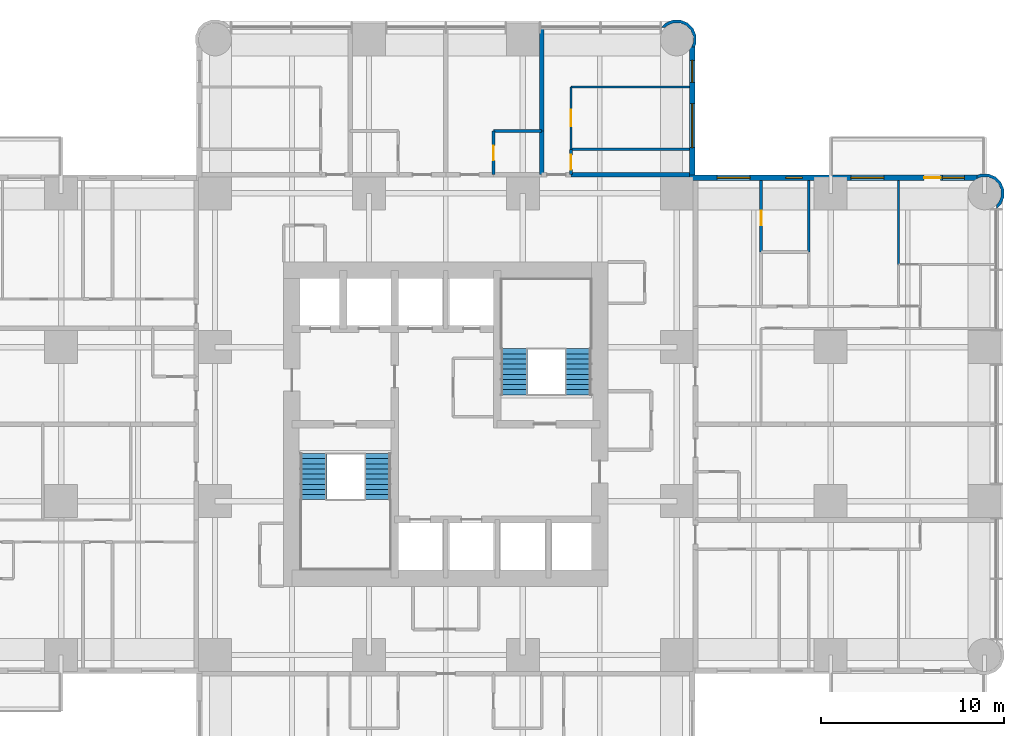
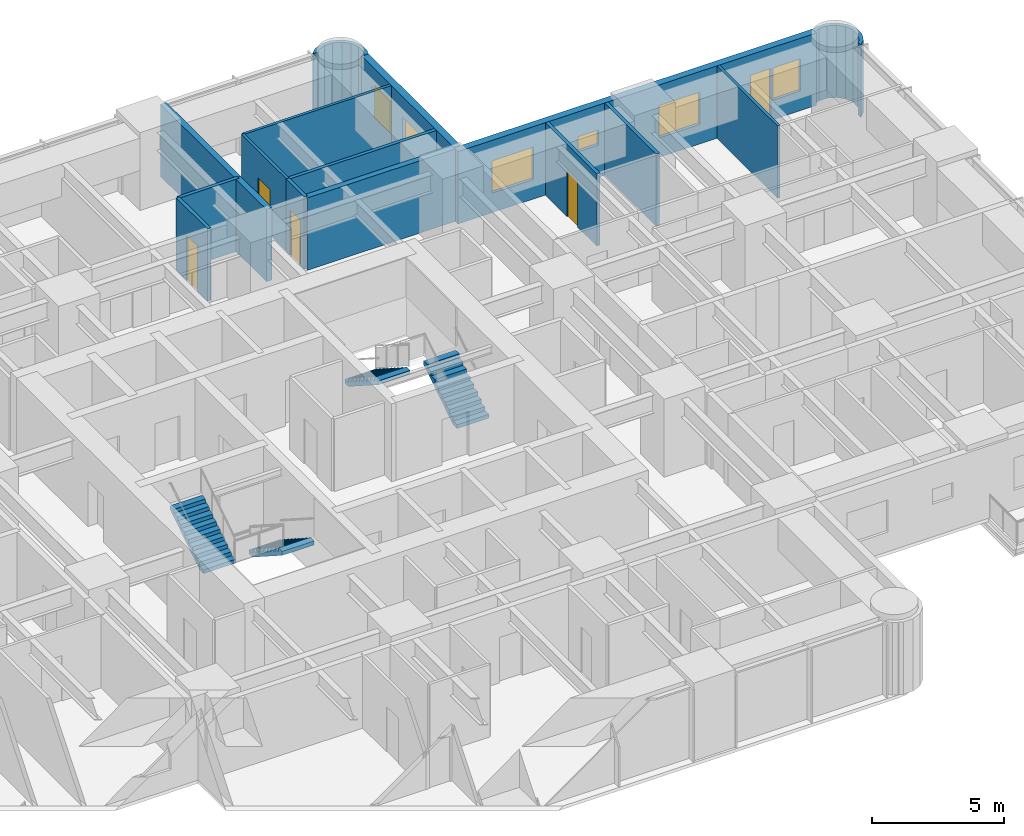
# One storey, part 12 of 14: 16 walls, 6 windows, 5 doors, 4 stair flights, 11 openings, 2 elements without a shape of their own.
"""IFC4 building model written with IfcOpenShell, lengths in metres."""

from ifc_helpers import new_model, si_unit, direction, frame, frame_2d, origin, place, context, subcontext, project, spatial, polyline, rectangle, outline, extrude, material, layer, layer_set, type_object, element, fill, aggregate, save


model = new_model("IFC4")

# Units and contexts
model_context = context("Model", 3, precision=1e-05, world=origin(), true_north=direction((0.0, 1.0)))
body_context = subcontext(model_context, "Body", "Model", "MODEL_VIEW")
ifc_project = project(units=[si_unit("LENGTHUNIT", "METRE"), si_unit("AREAUNIT", "SQUARE_METRE"), si_unit("VOLUMEUNIT", "CUBIC_METRE"), si_unit("PLANEANGLEUNIT", "RADIAN"), si_unit("MASSUNIT", "GRAM", prefix="KILO")], contexts=[model_context])

# Site, building, storey
site_placement = place(None, origin())
site = spatial("IfcSite", under=ifc_project, at=site_placement, CompositionType="ELEMENT")
building_placement = place(site_placement, origin())
building = spatial("IfcBuilding", under=site, at=building_placement, Name="Torre Alcanfor", CompositionType="ELEMENT")
storey_placement = place(building_placement, frame((0.0, 0.0, 173.699951171875)))
storey = spatial("IfcBuildingStorey", under=building, at=storey_placement, Name="L45", CompositionType="ELEMENT", Elevation=173.699951171875)

# Walls
ifc_material_1 = material(Name="Concrete block masonry, hollow blocks NMX-C-404 9 MPa", Category="masonry")
ifc_layer_1 = layer(ifc_material_1, 0.25)
ifc_layer_set_1 = layer_set([ifc_layer_1], Name="Apartment entrance wall 250 EI 60")
wall_type_1 = type_object("IfcWallType", Name="Apartment entrance wall 250 EI 60", PredefinedType="PARTITIONING", material=ifc_layer_set_1)
wall_1_placement = place(storey_placement, frame((36.22900390625, 43.02490234375, 0.0), z_axis=(0.0, 0.0, 1.0), x_axis=(1.0, 0.0, 0.0)))
element("IfcWall", 1, at=wall_1_placement, inside=storey, type_object=wall_type_1, Name="Partition L45-CORR / L45-N2B-BATH", PredefinedType="PARTITIONING", context=body_context, shape_type="SweptSolid", body=[
    extrude(rectangle(XDim=6.470947265625, YDim=0.25, at=frame_2d((3.2353515625, 0.0))), origin(), (0.0, 0.0, 1.0), 3.35009765625),
])
ifc_material_2 = material(Name="Gypsum board on steel studs", Category="steel")
ifc_layer_2 = layer(ifc_material_2, 0.1201171875)
ifc_layer_set_2 = layer_set([ifc_layer_2], Name="Apartment partition 120")
wall_type_2 = type_object("IfcWallType", Name="Apartment partition 120", PredefinedType="PARTITIONING", material=ifc_layer_set_2)
wall_2_placement = place(storey_placement, frame((42.699951171875, 47.800048828125, 0.0), z_axis=(0.0, 0.0, 1.0), x_axis=(-1.0, 0.0, 0.0)))
element("IfcWall", 2, at=wall_2_placement, inside=storey, type_object=wall_type_2, Name="Partition L45-N2B-LIVING / L45-N2B-MASTER", PredefinedType="PARTITIONING", context=body_context, shape_type="SweptSolid", body=[
    extrude(rectangle(XDim=6.470947265625, YDim=0.1201171875, at=frame_2d((3.2353515625, 0.0))), origin(), (0.0, 0.0, 1.0), 3.35009765625),
])

# Wall, opening, door
wall_3_placement = place(storey_placement, frame((36.22900390625, 47.800048828125, 0.0), z_axis=(0.0, 0.0, 1.0), x_axis=(0.0, -1.0, 0.0)))
wall_3 = element("IfcWall", 3, at=wall_3_placement, inside=storey, type_object=wall_type_2, Name="Partition L45-N2B-LIVING / L45-N2B-MASTER", PredefinedType="PARTITIONING", context=body_context, shape_type="SweptSolid", body=[
    extrude(rectangle(XDim=3.400146484375, YDim=0.1201171875, at=frame_2d((1.7001953125, 0.0))), origin(), (0.0, 0.0, 1.0), 3.35009765625),
])
opening_1_placement = place(wall_3_placement, frame((1.25, 0.0, 0.0)))
opening_1 = element("IfcOpeningElement", 4, at=opening_1_placement, cuts=wall_3, Name="Opening D-R1", PredefinedType="OPENING", context=body_context, shape_type="SweptSolid", body=[
    extrude(rectangle(XDim=0.89990234375, YDim=2.10009765625, at=frame_2d((0.449951171875, 1.050048828125))), frame((0.0, 0.070068359375, 0.0), z_axis=(0.0, -1.0, 0.0), x_axis=(1.0, 0.0, 0.0)), (0.0, 0.0, 1.0), 0.14013671875),
])
ifc_material_3 = material(Name="Timber", Category="wood")
door_type_1 = type_object("IfcDoorType", Name="Internal door 900x2100", OperationType="SINGLE_SWING_LEFT", PredefinedType="DOOR", material=ifc_material_3)
door_1_placement = place(opening_1_placement, origin())
door_1 = element("IfcDoor", 5, at=door_1_placement, inside=storey, type_object=door_type_1, Name="Door L45-N2B master", OperationType="SINGLE_SWING_LEFT", OverallHeight=2.10009765625, OverallWidth=0.89990234375, PredefinedType="DOOR", context=body_context, shape_type="SweptSolid", body=[
    extrude(rectangle(XDim=0.89990234375, YDim=2.10009765625, at=frame_2d((0.449951171875, 1.050048828125))), frame((0.0, 0.02490234375, 0.0), z_axis=(0.0, -1.0, 0.0), x_axis=(1.0, 0.0, 0.0)), (0.0, 0.0, 1.0), 0.050048828125),
])
fill(opening_1, door_1)

# Wall
wall_4_placement = place(storey_placement, frame((54.10009765625, 38.114013671875, 0.0), z_axis=(0.0, 0.0, 1.0), x_axis=(0.0, 1.0, 0.0)))
element("IfcWall", 6, at=wall_4_placement, inside=storey, type_object=wall_type_2, Name="Partition L45-E1-BED3 / L45-E1-MASTER", PredefinedType="PARTITIONING", context=body_context, shape_type="SweptSolid", body=[
    extrude(rectangle(XDim=4.5859375, YDim=0.1201171875, at=frame_2d((2.29296875, 0.0))), origin(), (0.0, 0.0, 1.0), 3.35009765625),
])

# Wall, openings, door, windows
ifc_material_4 = material(Name="Limestone cladding", Category="masonry")
ifc_layer_3 = layer(ifc_material_4, 0.0400390625, Name="Facing")
ifc_material_5 = material(Name="Ventilated air cavity")
ifc_layer_4 = layer(ifc_material_5, 0.02001953125, ventilated=True, Name="Ventilated joint")
ifc_material_6 = material(Name="Mineral wool insulation", Category="insulation")
ifc_layer_5 = layer(ifc_material_6, 0.10009765625, Name="Insulation")
ifc_material_7 = material(Name="Concrete f'c 35 MPa", Category="concrete")
ifc_layer_6 = layer(ifc_material_7, 0.139892578125, Name="Backing")
ifc_layer_set_3 = layer_set([ifc_layer_3, ifc_layer_4, ifc_layer_5, ifc_layer_6], Name="External wall stone-clad 300")
wall_type_3 = type_object("IfcWallType", Name="External wall stone-clad 300", PredefinedType="SOLIDWALL", material=ifc_layer_set_3)
wall_5_placement = place(storey_placement, frame((58.39990234375, 42.85009765625, 0.0), z_axis=(0.0, 0.0, 1.0), x_axis=(-1.0, 0.0, 0.0)))
wall_5 = element("IfcWall", 7, at=wall_5_placement, inside=storey, type_object=wall_type_3, Name="External wall L45 9", PredefinedType="SOLIDWALL", context=body_context, shape_type="SweptSolid", body=[
    extrude(rectangle(XDim=15.699951171875, YDim=0.300048828125, at=frame_2d((7.85009765625, 0.0))), origin(), (0.0, 0.0, 1.0), 3.35009765625),
])
opening_2_placement = place(wall_5_placement, frame((12.39990234375, 0.0, 0.89990234375)))
opening_2 = element("IfcOpeningElement", 8, at=opening_2_placement, cuts=wall_5, Name="Opening W2", PredefinedType="OPENING", context=body_context, shape_type="SweptSolid", body=[
    extrude(rectangle(XDim=1.800048828125, YDim=1.5, at=frame_2d((0.89990234375, 0.75))), frame((0.0, 0.159912109375, 0.0), z_axis=(0.0, -1.0, 0.0), x_axis=(1.0, 0.0, 0.0)), (0.0, 0.0, 1.0), 0.320068359375),
])
opening_3_placement = place(wall_5_placement, frame((9.550048828125, 0.0, 1.5)))
opening_3 = element("IfcOpeningElement", 9, at=opening_3_placement, cuts=wall_5, Name="Opening W3", PredefinedType="OPENING", context=body_context, shape_type="SweptSolid", body=[
    extrude(rectangle(XDim=0.89990234375, YDim=0.699951171875, at=frame_2d((0.449951171875, 0.35009765625))), frame((0.0, 0.159912109375, 0.0), z_axis=(0.0, -1.0, 0.0), x_axis=(1.0, 0.0, 0.0)), (0.0, 0.0, 1.0), 0.320068359375),
])
opening_4_placement = place(wall_5_placement, frame((5.10009765625, 0.0, 0.89990234375)))
opening_4 = element("IfcOpeningElement", 10, at=opening_4_placement, cuts=wall_5, Name="Opening W2", PredefinedType="OPENING", context=body_context, shape_type="SweptSolid", body=[
    extrude(rectangle(XDim=1.800048828125, YDim=1.5, at=frame_2d((0.89990234375, 0.75))), frame((0.0, 0.159912109375, 0.0), z_axis=(0.0, -1.0, 0.0), x_axis=(1.0, 0.0, 0.0)), (0.0, 0.0, 1.0), 0.320068359375),
])
opening_5_placement = place(wall_5_placement, frame((2.0, 0.0, 0.0)))
opening_5 = element("IfcOpeningElement", 11, at=opening_5_placement, cuts=wall_5, Name="Opening D-B1", PredefinedType="OPENING", context=body_context, shape_type="SweptSolid", body=[
    extrude(rectangle(XDim=0.89990234375, YDim=2.39990234375, at=frame_2d((0.449951171875, 1.199951171875))), frame((0.0, 0.159912109375, 0.0), z_axis=(0.0, -1.0, 0.0), x_axis=(1.0, 0.0, 0.0)), (0.0, 0.0, 1.0), 0.320068359375),
])
opening_6_placement = place(wall_5_placement, frame((0.699951171875, 0.0, 0.89990234375)))
opening_6 = element("IfcOpeningElement", 12, at=opening_6_placement, cuts=wall_5, Name="Opening W4", PredefinedType="OPENING", context=body_context, shape_type="SweptSolid", body=[
    extrude(rectangle(XDim=1.199951171875, YDim=1.5, at=frame_2d((0.60009765625, 0.75))), frame((0.0, 0.159912109375, 0.0), z_axis=(0.0, -1.0, 0.0), x_axis=(1.0, 0.0, 0.0)), (0.0, 0.0, 1.0), 0.320068359375),
])
ifc_material_8 = material(Name="Aluminium and glass", Category="aluminium")
door_type_2 = type_object("IfcDoorType", Name="Balcony door glazed 900x2400", OperationType="SINGLE_SWING_LEFT", PredefinedType="DOOR", material=ifc_material_8)
door_2_placement = place(opening_5_placement, origin())
door_2 = element("IfcDoor", 13, at=door_2_placement, inside=storey, type_object=door_type_2, Name="Balcony door L45-E1", OperationType="SINGLE_SWING_RIGHT", OverallHeight=2.39990234375, OverallWidth=0.89990234375, PredefinedType="DOOR", context=body_context, shape_type="SweptSolid", body=[
    extrude(rectangle(XDim=0.89990234375, YDim=2.39990234375, at=frame_2d((0.449951171875, 1.199951171875))), frame((0.0, 0.02490234375, 0.0), z_axis=(0.0, -1.0, 0.0), x_axis=(1.0, 0.0, 0.0)), (0.0, 0.0, 1.0), 0.050048828125),
])
fill(opening_5, door_2)
ifc_material_9 = material(Name="Aluminium frame with clear double glazing", Category="aluminium")
window_type_1 = type_object("IfcWindowType", Name="Window bathroom 900x700", PartitioningType="SINGLE_PANEL", PredefinedType="WINDOW", material=ifc_material_9)
window_1_placement = place(opening_3_placement, origin())
window_1 = element("IfcWindow", 14, at=window_1_placement, inside=storey, type_object=window_type_1, Name="Window W3 L45-E1", OverallHeight=0.699951171875, OverallWidth=0.89990234375, PartitioningType="SINGLE_PANEL", PredefinedType="WINDOW", context=body_context, shape_type="SweptSolid", body=[
    extrude(rectangle(XDim=0.89990234375, YDim=0.699951171875, at=frame_2d((0.449951171875, 0.35009765625))), frame((0.0, 0.030029296875, 0.0), z_axis=(0.0, -1.0, 0.0), x_axis=(1.0, 0.0, 0.0)), (0.0, 0.0, 1.0), 0.06005859375),
])
fill(opening_3, window_1)
ifc_material_10 = material(Name="Aluminium frame with clear double glazing", Category="aluminium")
window_type_2 = type_object("IfcWindowType", Name="Window bedroom 1200x1500", PartitioningType="SINGLE_PANEL", PredefinedType="WINDOW", material=ifc_material_10)
window_2_placement = place(opening_6_placement, origin())
window_2 = element("IfcWindow", 15, at=window_2_placement, inside=storey, type_object=window_type_2, Name="Window W4 L45-E1", OverallHeight=1.5, OverallWidth=1.199951171875, PartitioningType="SINGLE_PANEL", PredefinedType="WINDOW", context=body_context, shape_type="SweptSolid", body=[
    extrude(rectangle(XDim=1.199951171875, YDim=1.5, at=frame_2d((0.60009765625, 0.75))), frame((0.0, 0.030029296875, 0.0), z_axis=(0.0, -1.0, 0.0), x_axis=(1.0, 0.0, 0.0)), (0.0, 0.0, 1.0), 0.06005859375),
])
fill(opening_6, window_2)
ifc_material_11 = material(Name="Aluminium frame with clear double glazing", Category="aluminium")
window_type_3 = type_object("IfcWindowType", Name="Window bedroom 1800x1500", PartitioningType="SINGLE_PANEL", PredefinedType="WINDOW", material=ifc_material_11)
window_3_placement = place(opening_2_placement, origin())
window_3 = element("IfcWindow", 16, at=window_3_placement, inside=storey, type_object=window_type_3, Name="Window W2 L45-E1", OverallHeight=1.5, OverallWidth=1.800048828125, PartitioningType="SINGLE_PANEL", PredefinedType="WINDOW", context=body_context, shape_type="SweptSolid", body=[
    extrude(rectangle(XDim=1.800048828125, YDim=1.5, at=frame_2d((0.89990234375, 0.75))), frame((0.0, 0.030029296875, 0.0), z_axis=(0.0, -1.0, 0.0), x_axis=(1.0, 0.0, 0.0)), (0.0, 0.0, 1.0), 0.06005859375),
])
fill(opening_2, window_3)
window_4_placement = place(opening_4_placement, origin())
window_4 = element("IfcWindow", 17, at=window_4_placement, inside=storey, type_object=window_type_3, Name="Window W2 L45-E1", OverallHeight=1.5, OverallWidth=1.800048828125, PartitioningType="SINGLE_PANEL", PredefinedType="WINDOW", context=body_context, shape_type="SweptSolid", body=[
    extrude(rectangle(XDim=1.800048828125, YDim=1.5, at=frame_2d((0.89990234375, 0.75))), frame((0.0, 0.030029296875, 0.0), z_axis=(0.0, -1.0, 0.0), x_axis=(1.0, 0.0, 0.0)), (0.0, 0.0, 1.0), 0.06005859375),
])
fill(opening_4, window_4)

# Wall, openings, windows
wall_6_placement = place(storey_placement, frame((42.85009765625, 43.0, 0.0), z_axis=(0.0, 0.0, 1.0), x_axis=(0.0, 1.0, 0.0)))
wall_6 = element("IfcWall", 18, at=wall_6_placement, inside=storey, type_object=wall_type_3, Name="External wall L45 10", PredefinedType="SOLIDWALL", context=body_context, shape_type="SweptSolid", body=[
    extrude(rectangle(XDim=7.0, YDim=0.300048828125, at=frame_2d((3.5, 0.0))), origin(), (0.0, 0.0, 1.0), 3.35009765625),
])
opening_7_placement = place(wall_6_placement, frame((1.5, 0.0, 0.89990234375)))
opening_7 = element("IfcOpeningElement", 19, at=opening_7_placement, cuts=wall_6, Name="Opening W1", PredefinedType="OPENING", context=body_context, shape_type="SweptSolid", body=[
    extrude(rectangle(XDim=2.39990234375, YDim=1.5, at=frame_2d((1.199951171875, 0.75))), frame((0.0, 0.159912109375, 0.0), z_axis=(0.0, -1.0, 0.0), x_axis=(1.0, 0.0, 0.0)), (0.0, 0.0, 1.0), 0.320068359375),
])
opening_8_placement = place(wall_6_placement, frame((5.050048828125, 0.0, 0.89990234375)))
opening_8 = element("IfcOpeningElement", 20, at=opening_8_placement, cuts=wall_6, Name="Opening W4", PredefinedType="OPENING", context=body_context, shape_type="SweptSolid", body=[
    extrude(rectangle(XDim=1.199951171875, YDim=1.5, at=frame_2d((0.60009765625, 0.75))), frame((0.0, 0.159912109375, 0.0), z_axis=(0.0, -1.0, 0.0), x_axis=(1.0, 0.0, 0.0)), (0.0, 0.0, 1.0), 0.320068359375),
])
window_5_placement = place(opening_8_placement, origin())
window_5 = element("IfcWindow", 21, at=window_5_placement, inside=storey, type_object=window_type_2, Name="Window W4 L45-N2", OverallHeight=1.5, OverallWidth=1.199951171875, PartitioningType="SINGLE_PANEL", PredefinedType="WINDOW", context=body_context, shape_type="SweptSolid", body=[
    extrude(rectangle(XDim=1.199951171875, YDim=1.5, at=frame_2d((0.60009765625, 0.75))), frame((0.0, 0.030029296875, 0.0), z_axis=(0.0, -1.0, 0.0), x_axis=(1.0, 0.0, 0.0)), (0.0, 0.0, 1.0), 0.06005859375),
])
fill(opening_8, window_5)
ifc_material_12 = material(Name="Aluminium frame with clear double glazing", Category="aluminium")
window_type_4 = type_object("IfcWindowType", Name="Window bedroom 2400x1500", PartitioningType="SINGLE_PANEL", PredefinedType="WINDOW", material=ifc_material_12)
window_6_placement = place(opening_7_placement, origin())
window_6 = element("IfcWindow", 22, at=window_6_placement, inside=storey, type_object=window_type_4, Name="Window W1 L45-N2", OverallHeight=1.5, OverallWidth=2.39990234375, PartitioningType="SINGLE_PANEL", PredefinedType="WINDOW", context=body_context, shape_type="SweptSolid", body=[
    extrude(rectangle(XDim=2.39990234375, YDim=1.5, at=frame_2d((1.199951171875, 0.75))), frame((0.0, 0.030029296875, 0.0), z_axis=(0.0, -1.0, 0.0), x_axis=(1.0, 0.0, 0.0)), (0.0, 0.0, 1.0), 0.06005859375),
])
fill(opening_7, window_6)

# Walls
ifc_material_13 = material(Name="Concrete block masonry, hollow blocks NMX-C-404 9 MPa", Category="masonry")
ifc_layer_7 = layer(ifc_material_13, 0.25)
ifc_layer_set_4 = layer_set([ifc_layer_7], Name="Party wall 250 EI 60")
wall_type_4 = type_object("IfcWallType", Name="Party wall 250 EI 60", PredefinedType="PARTITIONING", material=ifc_layer_set_4)
wall_7_placement = place(storey_placement, frame((34.62890625, 51.050048828125, 0.0), z_axis=(0.0, 0.0, 1.0), x_axis=(0.0, -1.0, 0.0)))
element("IfcWall", 23, at=wall_7_placement, inside=storey, type_object=wall_type_4, Name="Partition L45-N2A-STUDIO / L45-N2B-LIVING", PredefinedType="PARTITIONING", context=body_context, shape_type="SweptSolid", body=[
    extrude(rectangle(XDim=5.650146484375, YDim=0.25, at=frame_2d((2.8251953125, 0.0))), origin(), (0.0, 0.0, 1.0), 3.35009765625),
])
wall_8_placement = place(storey_placement, frame((34.62890625, 45.39990234375, 0.0), z_axis=(0.0, 0.0, 1.0), x_axis=(0.0, -1.0, 0.0)))
element("IfcWall", 24, at=wall_8_placement, inside=storey, type_object=wall_type_4, Name="Partition L45-N2A-BATH / L45-N2B-LIVING", PredefinedType="PARTITIONING", context=body_context, shape_type="SweptSolid", body=[
    extrude(rectangle(XDim=2.375, YDim=0.25, at=frame_2d((1.1875, 0.0))), origin(), (0.0, 0.0, 1.0), 3.35009765625),
])
ifc_layer_8 = layer(ifc_material_4, 0.0400390625, Name="Facing")
ifc_layer_9 = layer(ifc_material_5, 0.02001953125, ventilated=True, Name="Ventilated joint")
ifc_layer_10 = layer(ifc_material_6, 0.10009765625, Name="Insulation")
ifc_layer_11 = layer(ifc_material_7, 0.139892578125, Name="Backing")
ifc_layer_set_5 = layer_set([ifc_layer_8, ifc_layer_9, ifc_layer_10, ifc_layer_11], Name="Rounded corner pier stone-clad 300")
wall_type_5 = type_object("IfcWallType", Name="Rounded corner pier stone-clad 300", PredefinedType="SOLIDWALL", material=ifc_layer_set_5)
wall_9_placement = place(storey_placement, frame((59.410519256, 41.23340608, 0.0), z_axis=(0.0, 0.0, 1.0), x_axis=(0.926129809145, 0.377204953059, 0.0)))
element("IfcWall", 25, at=wall_9_placement, inside=storey, type_object=wall_type_5, Name="Corner pier L45 18", PredefinedType="SOLIDWALL", context=body_context, shape_type="SweptSolid", body=[
    extrude(outline(polyline([(0.6260654471319579, 0.34524919711057256), (0.7850146045978224, 0.7355079985228963), (0.7823098124660501, 1.1573373086599013), (0.6187697625812524, 1.546081906916958), (0.31877691555394516, 1.8425152342918512), (-0.07170799176881437, 2.0015564828107086), (-0.24004949470661174, 2.000526523212158), (-0.2695944713928893, 2.0173049949130335), (-0.36998902843916337, 1.8407134525266757), (-0.10235758996356603, 1.8421635923174307), (0.22956588655630128, 1.7069739265237522), (0.4845024203782949, 1.4552530429107593), (0.6236098424040335, 1.1249645948716174), (0.6257138051575375, 0.7663837026280839), (0.49052413936385914, 0.43446022610821644), (0.23848505878743742, 0.1793896774287799), (0.09020527382959523, 0.11693875386038477), (0.010914877202648991, -0.0777384350249053), (0.02448123182880161, -0.08326389820448342), (0.32940601384662893, 0.045348441136258355), (0.47997135267738844, 0.19755163478368112), (0.49907282709518125, 0.19267151555903828), (0.5076193949673722, 0.22530566424262682), (0.6260654471319579, 0.34524919711057256)])), origin(), (0.0, 0.0, 1.0), 3.35009765625),
])
wall_10_placement = place(storey_placement, frame((42.909907157, 50.036037137, 0.0), z_axis=(0.0, 0.0, 1.0), x_axis=(0.377204953059, 0.926129809145, 0.0)))
element("IfcWall", 26, at=wall_10_placement, inside=storey, type_object=wall_type_5, Name="Corner pier L45 19", PredefinedType="SOLIDWALL", context=body_context, shape_type="SweptSolid", body=[
    extrude(outline(polyline([(0.7690495923804641, 1.727510334237576), (0.7501742238731071, 1.7227223060659262), (0.5996088850423476, 1.8749254997133489), (0.2946841030245203, 2.0035378390540908), (0.2811177483983677, 1.9980123758745125), (0.36040814502531393, 1.8033351869892225), (0.5086879299831563, 1.7408842634208272), (0.7607270105595778, 1.4858137147413908), (0.8959166763532561, 1.1538902382215235), (0.8938127135997522, 0.79530934597799), (0.7547052915740137, 0.4650208979388479), (0.4995426518415842, 0.21320792327286212), (0.1676191753217168, 0.07801825747918373), (-0.10001226315388055, 0.07946839726993866), (0.0006083998028294027, -0.09703105406342623), (0.03015337648910698, -0.08025258236255073), (0.19849487942690439, -0.08128254196110103), (0.5889797867496639, 0.0777587065577563), (0.8889726337769711, 0.3741920339326494), (1.0525126836617686, 0.7629366321897061), (1.054991369883105, 1.1846738512737183), (0.8960422124172407, 1.5749326526860419), (0.7775961602526551, 1.6948761855539876), (0.7690495923804641, 1.727510334237576)])), origin(), (0.0, 0.0, 1.0), 3.35009765625),
])
ifc_material_14 = material(Name="Cement board on steel studs", Category="steel")
ifc_layer_12 = layer(ifc_material_14, 0.14990234375)
ifc_layer_set_6 = layer_set([ifc_layer_12], Name="Wet area partition 150")
wall_type_6 = type_object("IfcWallType", Name="Wet area partition 150", PredefinedType="PARTITIONING", material=ifc_layer_set_6)
wall_11_placement = place(storey_placement, frame((34.62890625, 45.39990234375, 0.0), z_axis=(0.0, 0.0, 1.0), x_axis=(-1.0, 0.0, 0.0)))
element("IfcWall", 27, at=wall_11_placement, inside=storey, type_object=wall_type_6, Name="Partition L45-N2A-STUDIO / L45-N2A-BATH", PredefinedType="PARTITIONING", context=body_context, shape_type="SweptSolid", body=[
    extrude(rectangle(XDim=2.62890625, YDim=0.14990234375, at=frame_2d((1.314453125, 0.0))), origin(), (0.0, 0.0, 1.0), 3.35009765625),
])

# Wall, opening, door
wall_12_placement = place(storey_placement, frame((32.0, 45.39990234375, 0.0), z_axis=(0.0, 0.0, 1.0), x_axis=(0.0, -1.0, 0.0)))
wall_12 = element("IfcWall", 28, at=wall_12_placement, inside=storey, type_object=wall_type_6, Name="Partition L45-N2A-STUDIO / L45-N2A-BATH", PredefinedType="PARTITIONING", context=body_context, shape_type="SweptSolid", body=[
    extrude(rectangle(XDim=2.375, YDim=0.14990234375, at=frame_2d((1.1875, 0.0))), origin(), (0.0, 0.0, 1.0), 3.35009765625),
])
opening_9_placement = place(wall_12_placement, frame((0.800048828125, 0.0, 0.0)))
opening_9 = element("IfcOpeningElement", 29, at=opening_9_placement, cuts=wall_12, Name="Opening D-R2", PredefinedType="OPENING", context=body_context, shape_type="SweptSolid", body=[
    extrude(rectangle(XDim=0.800048828125, YDim=2.10009765625, at=frame_2d((0.39990234375, 1.050048828125))), frame((0.0, 0.0849609375, 0.0), z_axis=(0.0, -1.0, 0.0), x_axis=(1.0, 0.0, 0.0)), (0.0, 0.0, 1.0), 0.169921875),
])
ifc_material_15 = material(Name="Timber", Category="wood")
door_type_3 = type_object("IfcDoorType", Name="Bathroom door 800x2100", OperationType="SINGLE_SWING_LEFT", PredefinedType="DOOR", material=ifc_material_15)
door_3_placement = place(opening_9_placement, origin())
door_3 = element("IfcDoor", 30, at=door_3_placement, inside=storey, type_object=door_type_3, Name="Door L45-N2A bath", OperationType="SINGLE_SWING_RIGHT", OverallHeight=2.10009765625, OverallWidth=0.800048828125, PredefinedType="DOOR", context=body_context, shape_type="SweptSolid", body=[
    extrude(rectangle(XDim=0.800048828125, YDim=2.10009765625, at=frame_2d((0.39990234375, 1.050048828125))), frame((0.0, 0.02490234375, 0.0), z_axis=(0.0, -1.0, 0.0), x_axis=(1.0, 0.0, 0.0)), (0.0, 0.0, 1.0), 0.050048828125),
])
fill(opening_9, door_3)

wall_13_placement = place(storey_placement, frame((36.22900390625, 44.39990234375, 0.0), z_axis=(0.0, 0.0, 1.0), x_axis=(0.0, -1.0, 0.0)))
wall_13 = element("IfcWall", 31, at=wall_13_placement, inside=storey, type_object=wall_type_6, Name="Partition L45-N2B-LIVING / L45-N2B-BATH", PredefinedType="PARTITIONING", context=body_context, shape_type="SweptSolid", body=[
    extrude(rectangle(XDim=1.375, YDim=0.14990234375, at=frame_2d((0.6875, 0.0))), origin(), (0.0, 0.0, 1.0), 3.35009765625),
])
opening_10_placement = place(wall_13_placement, frame((0.300048828125, 0.0, 0.0)))
opening_10 = element("IfcOpeningElement", 32, at=opening_10_placement, cuts=wall_13, Name="Opening D-R2", PredefinedType="OPENING", context=body_context, shape_type="SweptSolid", body=[
    extrude(rectangle(XDim=0.800048828125, YDim=2.10009765625, at=frame_2d((0.39990234375, 1.050048828125))), frame((0.0, 0.0849609375, 0.0), z_axis=(0.0, -1.0, 0.0), x_axis=(1.0, 0.0, 0.0)), (0.0, 0.0, 1.0), 0.169921875),
])
door_4_placement = place(opening_10_placement, origin())
door_4 = element("IfcDoor", 33, at=door_4_placement, inside=storey, type_object=door_type_3, Name="Door L45-N2B bath", OperationType="SINGLE_SWING_RIGHT", OverallHeight=2.10009765625, OverallWidth=0.800048828125, PredefinedType="DOOR", context=body_context, shape_type="SweptSolid", body=[
    extrude(rectangle(XDim=0.800048828125, YDim=2.10009765625, at=frame_2d((0.39990234375, 1.050048828125))), frame((0.0, 0.02490234375, 0.0), z_axis=(0.0, -1.0, 0.0), x_axis=(1.0, 0.0, 0.0)), (0.0, 0.0, 1.0), 0.050048828125),
])
fill(opening_10, door_4)

# Wall
wall_14_placement = place(storey_placement, frame((36.22900390625, 44.39990234375, 0.0), z_axis=(0.0, 0.0, 1.0), x_axis=(1.0, 0.0, 0.0)))
element("IfcWall", 34, at=wall_14_placement, inside=storey, type_object=wall_type_6, Name="Partition L45-N2B-BATH / L45-N2B-MASTER", PredefinedType="PARTITIONING", context=body_context, shape_type="SweptSolid", body=[
    extrude(rectangle(XDim=6.470947265625, YDim=0.14990234375, at=frame_2d((3.2353515625, 0.0))), origin(), (0.0, 0.0, 1.0), 3.35009765625),
])

# Wall, opening, door
wall_15_placement = place(storey_placement, frame((46.60009765625, 38.800048828125, 0.0), z_axis=(0.0, 0.0, 1.0), x_axis=(0.0, 1.0, 0.0)))
wall_15 = element("IfcWall", 35, at=wall_15_placement, inside=storey, type_object=wall_type_6, Name="Partition L45-E1-SERV / L45-E1-SBATH", PredefinedType="PARTITIONING", context=body_context, shape_type="SweptSolid", body=[
    extrude(rectangle(XDim=3.89990234375, YDim=0.14990234375, at=frame_2d((1.949951171875, 0.0))), origin(), (0.0, 0.0, 1.0), 3.35009765625),
])
opening_11_placement = place(wall_15_placement, frame((1.449951171875, 0.0, 0.0)))
opening_11 = element("IfcOpeningElement", 36, at=opening_11_placement, cuts=wall_15, Name="Opening D-R2", PredefinedType="OPENING", context=body_context, shape_type="SweptSolid", body=[
    extrude(rectangle(XDim=0.800048828125, YDim=2.10009765625, at=frame_2d((0.39990234375, 1.050048828125))), frame((0.0, 0.0849609375, 0.0), z_axis=(0.0, -1.0, 0.0), x_axis=(1.0, 0.0, 0.0)), (0.0, 0.0, 1.0), 0.169921875),
])
door_5_placement = place(opening_11_placement, frame((0.800048828125, 0.0, 0.0), z_axis=(0.0, 0.0, 1.0), x_axis=(-1.0, 0.0, 0.0)))
door_5 = element("IfcDoor", 37, at=door_5_placement, inside=storey, type_object=door_type_3, Name="Door L45-E1 sbath", OperationType="SINGLE_SWING_RIGHT", OverallHeight=2.10009765625, OverallWidth=0.800048828125, PredefinedType="DOOR", context=body_context, shape_type="SweptSolid", body=[
    extrude(rectangle(XDim=0.800048828125, YDim=2.10009765625, at=frame_2d((0.400146484375, 1.050048828125))), frame((0.0, 0.025146484375, 0.0), z_axis=(0.0, -1.0, 0.0), x_axis=(1.0, 0.0, 0.0)), (0.0, 0.0, 1.0), 0.050048828125),
])
fill(opening_11, door_5)

# Wall
wall_16_placement = place(storey_placement, frame((49.199951171875, 38.800048828125, 0.0), z_axis=(0.0, 0.0, 1.0), x_axis=(0.0, 1.0, 0.0)))
element("IfcWall", 38, at=wall_16_placement, inside=storey, type_object=wall_type_6, Name="Partition L45-E1-SBATH / L45-E1-BED3", PredefinedType="PARTITIONING", context=body_context, shape_type="SweptSolid", body=[
    extrude(rectangle(XDim=3.89990234375, YDim=0.14990234375, at=frame_2d((1.949951171875, 0.0))), origin(), (0.0, 0.0, 1.0), 3.35009765625),
])

# Stair, stair flights
ifc_material_16 = material(Name="Concrete f'c 35 MPa", Category="concrete")
stair_type_1 = type_object("IfcStairType", Name="Exit stair S1 1400 wide", PredefinedType="HALF_TURN_STAIR", material=ifc_material_16)
stair_1_placement = place(storey_placement, origin())
stair_1 = element("IfcStair", 39, at=stair_1_placement, inside=storey, type_object=stair_type_1, Name="Stair S1 L45 to L46", PredefinedType="HALF_TURN_STAIR")
ifc_material_17 = material(Name="Concrete f'c 35 MPa", Category="concrete")
stair_flight_type = type_object("IfcStairFlightType", Name="Stair flight 1400", PredefinedType="STRAIGHT", material=ifc_material_17)
stair_flight_1_placement = place(storey_placement, frame((25.64990234375, 27.800048828125, 0.0), z_axis=(0.0, 0.0, 1.0), x_axis=(0.0, -1.0, 0.0)))
stair_flight_1 = element("IfcStairFlight", 40, at=stair_flight_1_placement, type_object=stair_flight_type, Name="S1 flight 1", NumberOfRisers=10, NumberOfTreads=9, PredefinedType="STRAIGHT", RiserHeight=0.18, TreadLength=0.28, context=body_context, shape_type="SweptSolid", body=[
    extrude(outline(polyline([(0.0, 0.0), (0.0, 0.179931640625), (0.280029296875, 0.179931640625), (0.280029296875, 0.360107421875), (0.56005859375, 0.360107421875), (0.56005859375, 0.5400390625), (0.840087890625, 0.5400390625), (0.840087890625, 0.719970703125), (1.1201171875, 0.719970703125), (1.1201171875, 0.89990234375), (1.39990234375, 0.89990234375), (1.39990234375, 1.080078125), (1.679931640625, 1.080078125), (1.679931640625, 1.260009765625), (1.9599609375, 1.260009765625), (1.9599609375, 1.43994140625), (2.239990234375, 1.43994140625), (2.239990234375, 1.6201171875), (2.52001953125, 1.6201171875), (2.52001953125, 1.800048828125), (2.52001953125, 1.44189453125), (0.277099609375, 0.0), (0.0, 0.0)])), frame((0.0, 0.699951171875, 0.0), z_axis=(0.0, -1.0, 0.0), x_axis=(1.0, 0.0, 0.0)), (0.0, 0.0, 1.0), 1.39990234375),
])
stair_flight_2_placement = place(storey_placement, frame((22.199951171875, 25.280029296875, 1.800048828125), z_axis=(0.0, 0.0, 1.0), x_axis=(0.0, 1.0, 0.0)))
stair_flight_2 = element("IfcStairFlight", 41, at=stair_flight_2_placement, type_object=stair_flight_type, Name="S1 flight 2", NumberOfRisers=10, NumberOfTreads=9, PredefinedType="STRAIGHT", RiserHeight=0.18, TreadLength=0.28, context=body_context, shape_type="SweptSolid", body=[
    extrude(outline(polyline([(0.0, 0.0), (0.0, 0.179931640625), (0.280029296875, 0.179931640625), (0.280029296875, 0.360107421875), (0.56005859375, 0.360107421875), (0.56005859375, 0.5400390625), (0.840087890625, 0.5400390625), (0.840087890625, 0.719970703125), (1.1201171875, 0.719970703125), (1.1201171875, 0.89990234375), (1.39990234375, 0.89990234375), (1.39990234375, 1.080078125), (1.679931640625, 1.080078125), (1.679931640625, 1.260009765625), (1.9599609375, 1.260009765625), (1.9599609375, 1.43994140625), (2.239990234375, 1.43994140625), (2.239990234375, 1.6201171875), (2.52001953125, 1.6201171875), (2.52001953125, 1.800048828125), (2.52001953125, 1.44189453125), (0.277099609375, 0.0), (0.0, 0.0)])), frame((0.0, 0.699951171875, 0.0), z_axis=(0.0, -1.0, 0.0), x_axis=(1.0, 0.0, 0.0)), (0.0, 0.0, 1.0), 1.39990234375),
])
aggregate(stair_1, [stair_flight_1, stair_flight_2])

ifc_material_18 = material(Name="Concrete f'c 35 MPa", Category="concrete")
stair_type_2 = type_object("IfcStairType", Name="Exit stair S2 1400 wide", PredefinedType="HALF_TURN_STAIR", material=ifc_material_18)
stair_2_placement = place(storey_placement, origin())
stair_2 = element("IfcStair", 42, at=stair_2_placement, inside=storey, type_object=stair_type_2, Name="Stair S2 L45 to L46", PredefinedType="HALF_TURN_STAIR")
stair_flight_3_placement = place(storey_placement, frame((36.60009765625, 31.0, 0.0), z_axis=(0.0, 0.0, 1.0), x_axis=(0.0, 1.0, 0.0)))
stair_flight_3 = element("IfcStairFlight", 43, at=stair_flight_3_placement, type_object=stair_flight_type, Name="S2 flight 1", NumberOfRisers=10, NumberOfTreads=9, PredefinedType="STRAIGHT", RiserHeight=0.18, TreadLength=0.28, context=body_context, shape_type="SweptSolid", body=[
    extrude(outline(polyline([(0.0, 0.0), (0.0, 0.179931640625), (0.280029296875, 0.179931640625), (0.280029296875, 0.360107421875), (0.56005859375, 0.360107421875), (0.56005859375, 0.5400390625), (0.840087890625, 0.5400390625), (0.840087890625, 0.719970703125), (1.1201171875, 0.719970703125), (1.1201171875, 0.89990234375), (1.39990234375, 0.89990234375), (1.39990234375, 1.080078125), (1.679931640625, 1.080078125), (1.679931640625, 1.260009765625), (1.9599609375, 1.260009765625), (1.9599609375, 1.43994140625), (2.239990234375, 1.43994140625), (2.239990234375, 1.6201171875), (2.52001953125, 1.6201171875), (2.52001953125, 1.800048828125), (2.52001953125, 1.44189453125), (0.277099609375, 0.0), (0.0, 0.0)])), frame((0.0, 0.699951171875, 0.0), z_axis=(0.0, -1.0, 0.0), x_axis=(1.0, 0.0, 0.0)), (0.0, 0.0, 1.0), 1.39990234375),
])
stair_flight_4_placement = place(storey_placement, frame((33.14990234375, 33.52001953125, 1.800048828125), z_axis=(0.0, 0.0, 1.0), x_axis=(0.0, -1.0, 0.0)))
stair_flight_4 = element("IfcStairFlight", 44, at=stair_flight_4_placement, type_object=stair_flight_type, Name="S2 flight 2", NumberOfRisers=10, NumberOfTreads=9, PredefinedType="STRAIGHT", RiserHeight=0.18, TreadLength=0.28, context=body_context, shape_type="SweptSolid", body=[
    extrude(outline(polyline([(0.0, 0.0), (0.0, 0.179931640625), (0.280029296875, 0.179931640625), (0.280029296875, 0.360107421875), (0.56005859375, 0.360107421875), (0.56005859375, 0.5400390625), (0.840087890625, 0.5400390625), (0.840087890625, 0.719970703125), (1.1201171875, 0.719970703125), (1.1201171875, 0.89990234375), (1.39990234375, 0.89990234375), (1.39990234375, 1.080078125), (1.679931640625, 1.080078125), (1.679931640625, 1.260009765625), (1.9599609375, 1.260009765625), (1.9599609375, 1.43994140625), (2.239990234375, 1.43994140625), (2.239990234375, 1.6201171875), (2.52001953125, 1.6201171875), (2.52001953125, 1.800048828125), (2.52001953125, 1.44189453125), (0.277099609375, 0.0), (0.0, 0.0)])), frame((0.0, 0.699951171875, 0.0), z_axis=(0.0, -1.0, 0.0), x_axis=(1.0, 0.0, 0.0)), (0.0, 0.0, 1.0), 1.39990234375),
])
aggregate(stair_2, [stair_flight_3, stair_flight_4])

save(model, "model.ifc")
